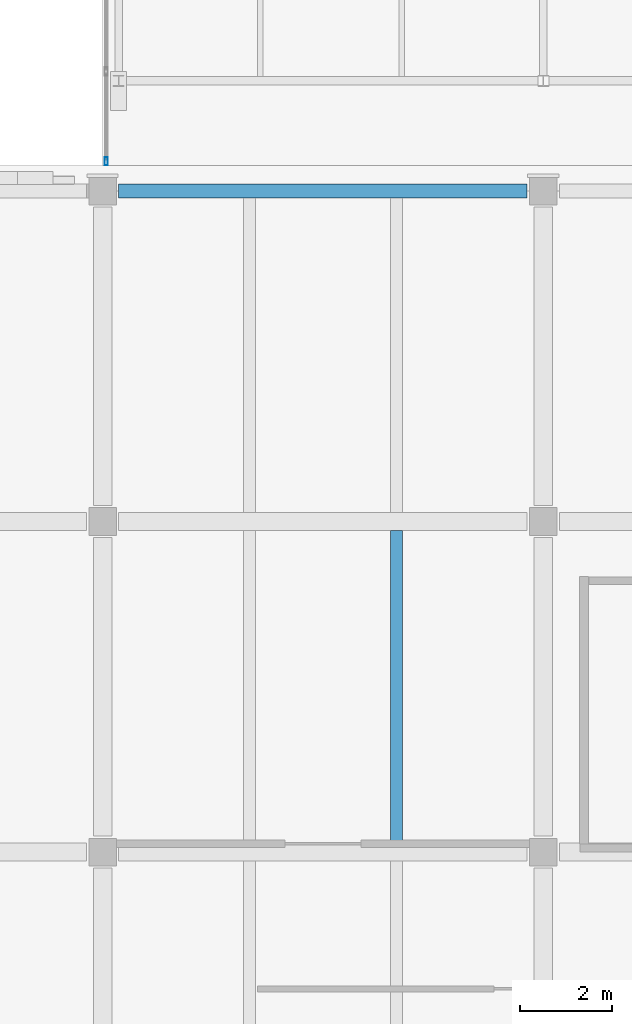
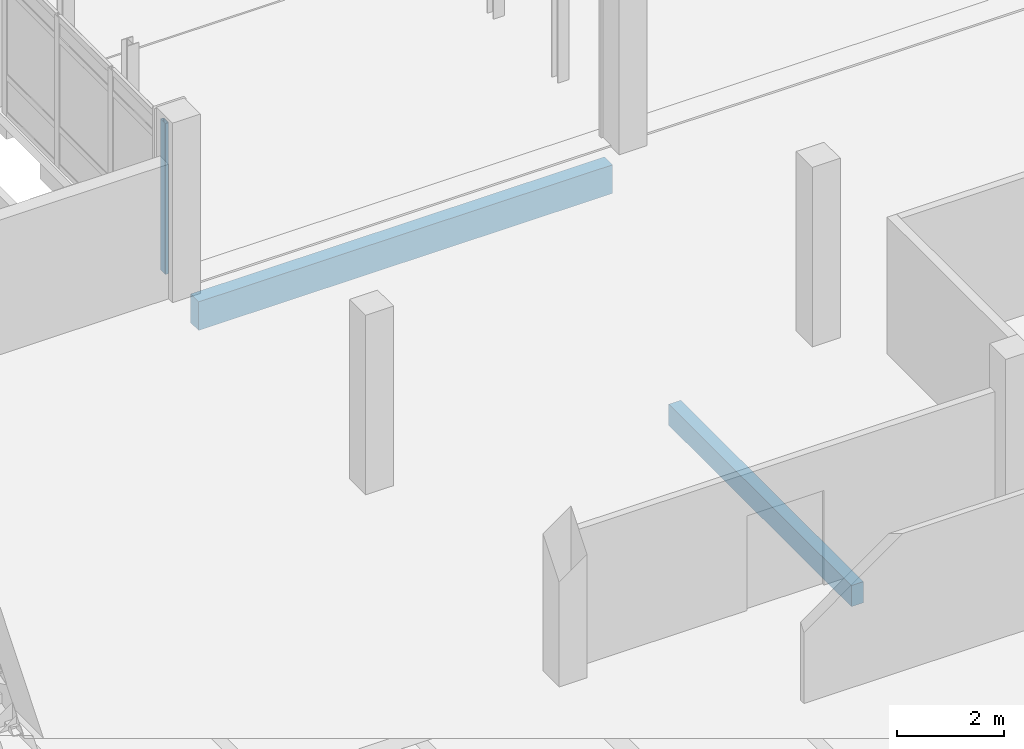
# One storey, part 14 of 134: 2 beams, 1 member, 1 element without a shape of its own.
"""IFC4 building model written with IfcOpenShell, lengths in metres."""

from ifc_helpers import new_model, si_unit, direction, frame, origin, origin_2d, place, context, subcontext, project, spatial, rectangle, hollow_rectangle, extrude, material, layer, layer_set, material_profile, profile_set, type_object, element, aggregate, save


model = new_model("IFC4")

# Units and contexts
model_context = context("Model", 3, precision=1e-05, world=origin(), true_north=direction((0.0, 1.0)))
body_context = subcontext(model_context, "Body", "Model", "MODEL_VIEW")
ifc_project = project(units=[si_unit("LENGTHUNIT", "METRE"), si_unit("AREAUNIT", "SQUARE_METRE"), si_unit("VOLUMEUNIT", "CUBIC_METRE"), si_unit("PLANEANGLEUNIT", "RADIAN"), si_unit("MASSUNIT", "GRAM", prefix="KILO")], contexts=[model_context])

# Site, building, storey
site_placement = place(None, origin())
site = spatial("IfcSite", under=ifc_project, at=site_placement, CompositionType="ELEMENT")
building_placement = place(site_placement, origin())
building = spatial("IfcBuilding", under=site, at=building_placement, Name="Asteropetra Specialist Clinic", CompositionType="ELEMENT")
storey_placement = place(building_placement, frame((0.0, 0.0, 8.5)))
storey = spatial("IfcBuildingStorey", under=building, at=storey_placement, Name="L02", CompositionType="ELEMENT", Elevation=8.5)

# Curtain wall, member
ifc_material_1 = material(Name="Aluminium and low-E glass", Category="aluminium")
ifc_layer = layer(ifc_material_1, 0.14990234375)
ifc_layer_set = layer_set([ifc_layer], Name="Aluminium and low-E glass")
curtain_wall_type = type_object("IfcCurtainWallType", Name="CW-SYS-08", PredefinedType="USERDEFINED", material=ifc_layer_set)
curtain_wall_placement = place(storey_placement, origin())
curtain_wall = element("IfcCurtainWall", 1, at=curtain_wall_placement, inside=storey, type_object=curtain_wall_type, Name="Curtain Wall CW-105", ObjectType="STICK GLAZED COLONNADE", PredefinedType="USERDEFINED")
ifc_material_2 = material(Name="Aluminium 6063-T6", Category="aluminium")
ifc_material_profile_1 = material_profile(ifc_material_2, hollow_rectangle(XDim=0.074951171875, YDim=0.179931640625, WallThickness=0.00390625, InnerFilletRadius=0.00390625, OuterFilletRadius=0.008056640625, at=origin_2d()), Name="MUL 180x75x4.0")
ifc_profile_set_1 = profile_set([ifc_material_profile_1], Name="Aluminium 6063-T6")
member_type = type_object("IfcMemberType", Name="CWM-180x75", PredefinedType="MULLION", material=ifc_profile_set_1)
member_placement = place(storey_placement, frame((9.679931640625, 63.047607421875, 0.0), z_axis=(0.0, 0.0, 1.0), x_axis=(-1.0, 0.0, 0.0)))
member = element("IfcMember", 2, at=member_placement, type_object=member_type, Name="CW-105 mullion 1", PredefinedType="MULLION", context=body_context, shape_type="SweptSolid", body=[
    extrude(hollow_rectangle(XDim=0.074951171875, YDim=0.179931640625, WallThickness=0.00390625, InnerFilletRadius=0.00390625, OuterFilletRadius=0.008056640625, at=origin_2d()), origin(), (0.0, 0.0, 1.0), 3.429931640625),
])
aggregate(curtain_wall, [member])

# Beams
ifc_material_3 = material(Name="Concrete C35/45", Category="concrete")
ifc_material_profile_2 = material_profile(ifc_material_3, rectangle(XDim=0.260009765625, YDim=0.47998046875, at=origin_2d()), Name="RCJ 260x480")
ifc_profile_set_2 = profile_set([ifc_material_profile_2], Name="Concrete C35/45")
beam_type_1 = type_object("IfcBeamType", Name="JST-RC260x480", PredefinedType="JOIST", material=ifc_profile_set_2)
beam_1_placement = place(storey_placement, frame((16.0, 48.199951171875, -0.5400390625), z_axis=(0.0, 1.0, 0.0), x_axis=(-1.0, 0.0, 0.0)))
element("IfcBeam", 3, at=beam_1_placement, inside=storey, type_object=beam_type_1, Name="Joist JJST02-1102", PredefinedType="JOIST", context=body_context, shape_type="SweptSolid", body=[
    extrude(rectangle(XDim=0.260009765625, YDim=0.47998046875, at=origin_2d()), origin(), (0.0, 0.0, 1.0), 6.800048828125),
])
ifc_material_4 = material(Name="Concrete C35/45", Category="concrete")
ifc_material_profile_3 = material_profile(ifc_material_4, rectangle(XDim=0.300048828125, YDim=0.64990234375, at=origin_2d()), Name="RCS 300x650")
ifc_profile_set_3 = profile_set([ifc_material_profile_3], Name="Concrete C35/45")
beam_type_2 = type_object("IfcBeamType", Name="SPN-RC300x650", PredefinedType="SPANDREL", material=ifc_profile_set_3)
beam_2_placement = place(storey_placement, frame((9.949951171875, 62.39990234375, -0.625), z_axis=(1.0, 0.0, 0.0), x_axis=(0.0, 1.0, 0.0)))
element("IfcBeam", 4, at=beam_2_placement, inside=storey, type_object=beam_type_2, Name="Beam BSPN03-1070", PredefinedType="SPANDREL", context=body_context, shape_type="SweptSolid", body=[
    extrude(rectangle(XDim=0.300048828125, YDim=0.64990234375, at=origin_2d()), origin(), (0.0, 0.0, 1.0), 8.900146484375),
])

save(model, "model.ifc")
